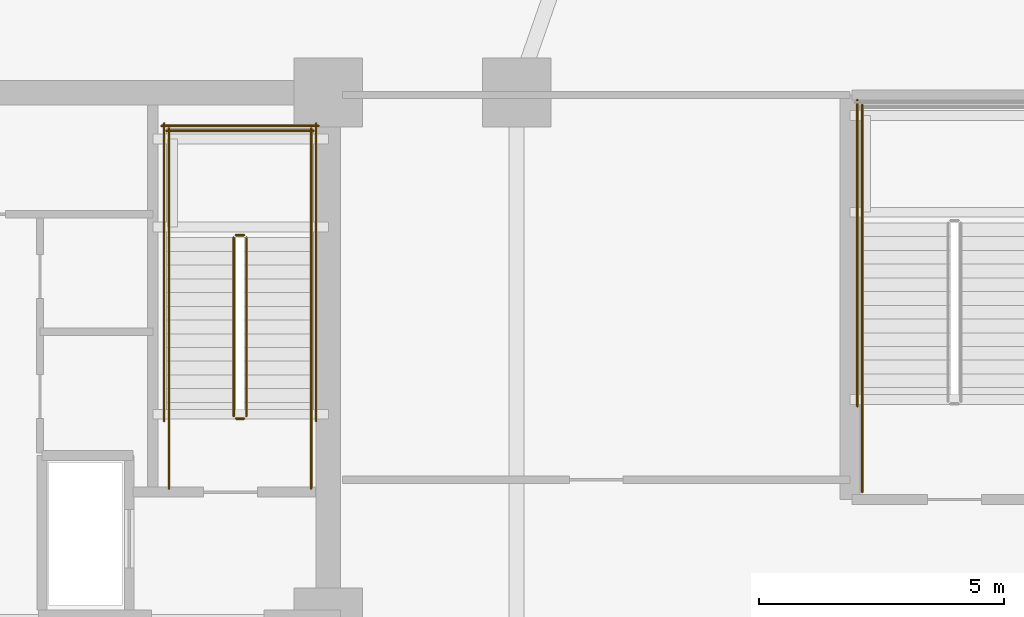
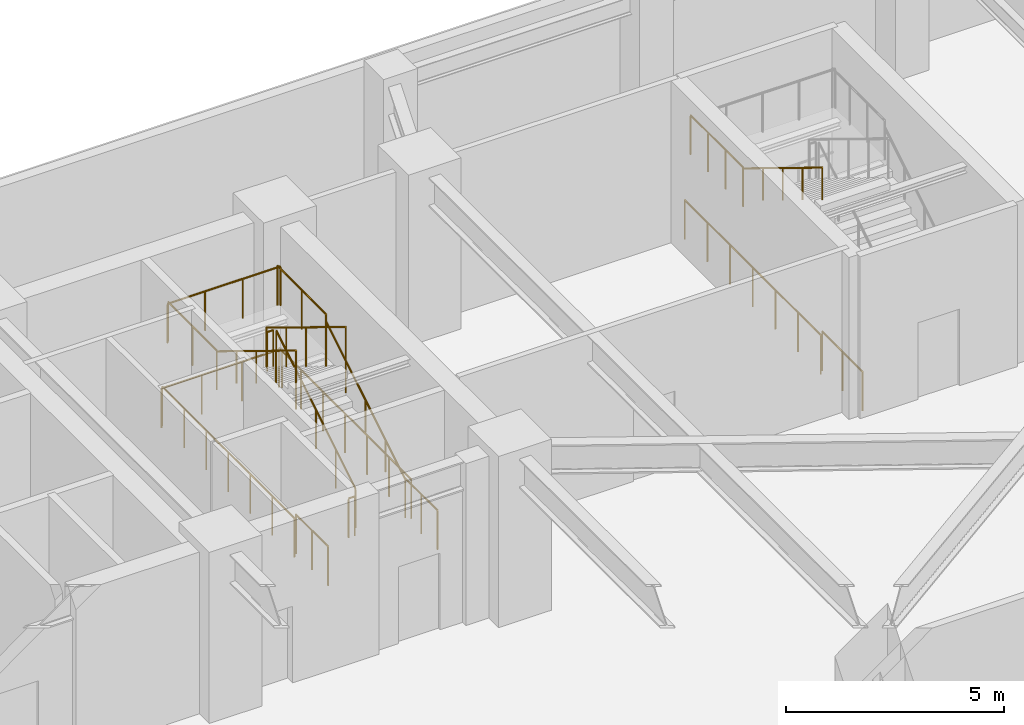
# One storey, part 17 of 19: 18 railings.
"""IFC4 building model written with IfcOpenShell, lengths in metres."""

from ifc_helpers import new_model, si_unit, direction, frame, origin, origin_2d, place, context, subcontext, project, spatial, circle, extrude, material, layer, layer_set, type_object, element, save


model = new_model("IFC4")

# Units and contexts
model_context = context("Model", 3, precision=1e-05, world=origin(), true_north=direction((0.0, 1.0)))
body_context = subcontext(model_context, "Body", "Model", "MODEL_VIEW")
ifc_project = project(units=[si_unit("LENGTHUNIT", "METRE"), si_unit("AREAUNIT", "SQUARE_METRE"), si_unit("VOLUMEUNIT", "CUBIC_METRE"), si_unit("PLANEANGLEUNIT", "RADIAN"), si_unit("MASSUNIT", "GRAM", prefix="KILO")], contexts=[model_context])

# Site, building, storey
site_placement = place(None, origin())
site = spatial("IfcSite", under=ifc_project, at=site_placement, CompositionType="ELEMENT")
building_placement = place(site_placement, origin())
building = spatial("IfcBuilding", under=site, at=building_placement, Name="Yelkora Congress Tower", CompositionType="ELEMENT")
storey_placement = place(building_placement, frame((0.0, 0.0, 15.60009765625)))
storey = spatial("IfcBuildingStorey", under=building, at=storey_placement, Name="L03", CompositionType="ELEMENT", Elevation=15.60009765625)

# Railings
ifc_material_1 = material(Name="Painted galvanised steel stair well guard with vertical infill", Category="steel")
ifc_layer_1 = layer(ifc_material_1, 0.06005859375)
ifc_layer_set_1 = layer_set([ifc_layer_1], Name="Painted galvanised steel stair well guard with vertical infill")
railing_type_1 = type_object("IfcRailingType", Name="RAIL-STAIR-GUARD-1120", PredefinedType="GUARDRAIL", material=ifc_layer_set_1)
railing_1_placement = place(storey_placement, frame((52.090087890625, 39.60009765625, 0.17138671875)))
element("IfcRailing", 1, at=railing_1_placement, inside=storey, type_object=railing_type_1, Name="ST-02 L03 Stair Well Guardrail 1", PredefinedType="GUARDRAIL", context=body_context, shape_type="SweptSolid", body=[
    extrude(circle(Radius=0.02392578125, at=origin_2d()), frame((0.0, 0.0, 1.09619140625), z_axis=(0.0, 0.852850264322, 0.5221555579), x_axis=(-1.0, 0.0, 0.0)), (0.0, 0.0, 1.0), 4.267822265625),
    extrude(circle(Radius=0.02099609375, at=origin_2d()), origin(), (0.0, 0.0, 1.0), 1.072021484375),
    extrude(circle(Radius=0.02099609375, at=origin_2d()), frame((0.0, 0.909912109375, 0.55712890625)), (0.0, 0.0, 1.0), 1.072021484375),
    extrude(circle(Radius=0.02099609375, at=origin_2d()), frame((0.0, 1.81982421875, 1.1142578125)), (0.0, 0.0, 1.0), 1.072021484375),
    extrude(circle(Radius=0.02099609375, at=origin_2d()), frame((0.0, 2.72998046875, 1.67138671875)), (0.0, 0.0, 1.0), 1.072021484375),
    extrude(circle(Radius=0.02099609375, at=origin_2d()), frame((0.0, 3.639892578125, 2.228515625)), (0.0, 0.0, 1.0), 1.072021484375),
])
railing_2_placement = place(storey_placement, frame((52.0400390625, 43.2900390625, 2.39990234375)))
element("IfcRailing", 2, at=railing_2_placement, inside=storey, type_object=railing_type_1, Name="ST-02 L03 Stair Well Guardrail 2", PredefinedType="GUARDRAIL", context=body_context, shape_type="SweptSolid", body=[
    extrude(circle(Radius=0.02392578125, at=origin_2d()), frame((0.0, 0.0, 1.09619140625), z_axis=(-1.0, 0.0, 0.0), x_axis=(0.0, -1.0, 0.0)), (0.0, 0.0, 1.0), 0.16015625),
    extrude(circle(Radius=0.02099609375, at=origin_2d()), origin(), (0.0, 0.0, 1.0), 1.072021484375),
    extrude(circle(Radius=0.02099609375, at=origin_2d()), frame((-0.16015625, 0.0, 0.0)), (0.0, 0.0, 1.0), 1.072021484375),
])
for number, where, name in (
    (3, (53.409912109375, 43.239990234375, 2.39990234375), "ST-02 L03 Stair Well Guardrail 3"),
    (4, (50.510009765625, 43.239990234375, 2.39990234375), "ST-02 L03 Stair Well Guardrail 4"),
):
    element("IfcRailing", number, at=place(storey_placement, frame(where)), inside=storey, type_object=railing_type_1, Name=name, PredefinedType="GUARDRAIL", context=body_context, shape_type="SweptSolid", body=[
        extrude(circle(Radius=0.02392578125, at=origin_2d()), frame((0.0, 0.0, 1.09619140625), z_axis=(0.0, 1.0, 0.0), x_axis=(-1.0, 0.0, 0.0)), (0.0, 0.0, 1.0), 2.22998046875),
        extrude(circle(Radius=0.02099609375, at=origin_2d()), origin(), (0.0, 0.0, 1.0), 1.072021484375),
        extrude(circle(Radius=0.02099609375, at=origin_2d()), frame((0.0, 1.114990234375, 0.0)), (0.0, 0.0, 1.0), 1.072021484375),
        extrude(circle(Radius=0.02099609375, at=origin_2d()), frame((0.0, 2.22998046875, 0.0)), (0.0, 0.0, 1.0), 1.072021484375),
    ])
railing_3_placement = place(storey_placement, frame((53.4599609375, 45.419921875, 2.39990234375)))
element("IfcRailing", 5, at=railing_3_placement, inside=storey, type_object=railing_type_1, Name="ST-02 L03 Stair Well Guardrail 5", PredefinedType="GUARDRAIL", context=body_context, shape_type="SweptSolid", body=[
    extrude(circle(Radius=0.02392578125, at=origin_2d()), frame((0.0, 0.0, 1.09619140625), z_axis=(-1.0, 0.0, 0.0), x_axis=(0.0, -1.0, 0.0)), (0.0, 0.0, 1.0), 3.0),
    extrude(circle(Radius=0.02099609375, at=origin_2d()), origin(), (0.0, 0.0, 1.0), 1.072021484375),
    extrude(circle(Radius=0.02099609375, at=origin_2d()), frame((-1.0, 0.0, 0.0)), (0.0, 0.0, 1.0), 1.072021484375),
    extrude(circle(Radius=0.02099609375, at=origin_2d()), frame((-2.0, 0.0, 0.0)), (0.0, 0.0, 1.0), 1.072021484375),
    extrude(circle(Radius=0.02099609375, at=origin_2d()), frame((-3.0, 0.0, 0.0)), (0.0, 0.0, 1.0), 1.072021484375),
])
railing_4_placement = place(storey_placement, frame((51.830078125, 43.239990234375, 2.5712890625)))
element("IfcRailing", 6, at=railing_4_placement, inside=storey, type_object=railing_type_1, Name="ST-02 L03 Stair Well Guardrail 6", PredefinedType="GUARDRAIL", context=body_context, shape_type="SweptSolid", body=[
    extrude(circle(Radius=0.02392578125, at=origin_2d()), frame((0.0, 0.0, 1.09619140625), z_axis=(0.0, -0.852850264322, 0.5221555579), x_axis=(1.0, 0.0, 0.0)), (0.0, 0.0, 1.0), 4.267822265625),
    extrude(circle(Radius=0.02099609375, at=origin_2d()), origin(), (0.0, 0.0, 1.0), 1.072021484375),
    extrude(circle(Radius=0.02099609375, at=origin_2d()), frame((0.0, -0.909912109375, 0.55712890625)), (0.0, 0.0, 1.0), 1.072021484375),
    extrude(circle(Radius=0.02099609375, at=origin_2d()), frame((0.0, -1.81982421875, 1.1142578125)), (0.0, 0.0, 1.0), 1.072021484375),
    extrude(circle(Radius=0.02099609375, at=origin_2d()), frame((0.0, -2.72998046875, 1.67138671875)), (0.0, 0.0, 1.0), 1.072021484375),
    extrude(circle(Radius=0.02099609375, at=origin_2d()), frame((0.0, -3.639892578125, 2.228515625)), (0.0, 0.0, 1.0), 1.072021484375),
])
railing_5_placement = place(storey_placement, frame((52.0400390625, 39.550048828125, 0.0)))
element("IfcRailing", 7, at=railing_5_placement, inside=storey, type_object=railing_type_1, Name="ST-02 L03 Stair Well Guardrail 7", PredefinedType="GUARDRAIL", context=body_context, shape_type="SweptSolid", body=[
    extrude(circle(Radius=0.02392578125, at=origin_2d()), frame((0.0, 0.0, 1.09619140625), z_axis=(-1.0, 0.0, 0.0), x_axis=(0.0, -1.0, 0.0)), (0.0, 0.0, 1.0), 0.16015625),
    extrude(circle(Radius=0.02099609375, at=origin_2d()), origin(), (0.0, 0.0, 1.0), 1.072021484375),
    extrude(circle(Radius=0.02099609375, at=origin_2d()), frame((-0.16015625, 0.0, 0.0)), (0.0, 0.0, 1.0), 1.072021484375),
])
for number, where, name in (
    (8, (53.409912109375, 38.1201171875, 0.0), "ST-02 L03 Stair Well Guardrail 8"),
    (9, (50.510009765625, 38.1201171875, 0.0), "ST-02 L03 Stair Well Guardrail 9"),
):
    element("IfcRailing", number, at=place(storey_placement, frame(where)), inside=storey, type_object=railing_type_1, Name=name, PredefinedType="GUARDRAIL", context=body_context, shape_type="SweptSolid", body=[
        extrude(circle(Radius=0.02392578125, at=origin_2d()), frame((0.0, 0.0, 1.09619140625), z_axis=(0.0, 1.0, 0.0), x_axis=(-1.0, 0.0, 0.0)), (0.0, 0.0, 1.0), 1.47998046875),
        extrude(circle(Radius=0.02099609375, at=origin_2d()), origin(), (0.0, 0.0, 1.0), 1.072021484375),
        extrude(circle(Radius=0.02099609375, at=origin_2d()), frame((0.0, 0.739990234375, 0.0)), (0.0, 0.0, 1.0), 1.072021484375),
        extrude(circle(Radius=0.02099609375, at=origin_2d()), frame((0.0, 1.47998046875, 0.0)), (0.0, 0.0, 1.0), 1.072021484375),
    ])
for number, where, name in (
    (10, (53.510009765625, 39.5, 0.0), "ST-02 L03 Stair Well Guardrail 10"),
    (11, (50.409912109375, 39.5, 0.0), "ST-02 L03 Stair Well Guardrail 11"),
):
    element("IfcRailing", number, at=place(storey_placement, frame(where)), inside=storey, type_object=railing_type_1, Name=name, PredefinedType="GUARDRAIL", context=body_context, shape_type="SweptSolid", body=[
        extrude(circle(Radius=0.02392578125, at=origin_2d()), frame((0.0, 0.0, 1.09619140625), z_axis=(0.0, 1.0, 0.0), x_axis=(-1.0, 0.0, 0.0)), (0.0, 0.0, 1.0), 6.070068359375),
        extrude(circle(Radius=0.02099609375, at=origin_2d()), origin(), (0.0, 0.0, 1.0), 1.072021484375),
        extrude(circle(Radius=0.02099609375, at=origin_2d()), frame((0.0, 1.01171875, 0.0)), (0.0, 0.0, 1.0), 1.072021484375),
        extrude(circle(Radius=0.02099609375, at=origin_2d()), frame((0.0, 2.0234375, 0.0)), (0.0, 0.0, 1.0), 1.072021484375),
        extrude(circle(Radius=0.02099609375, at=origin_2d()), frame((0.0, 3.03515625, 0.0)), (0.0, 0.0, 1.0), 1.072021484375),
        extrude(circle(Radius=0.02099609375, at=origin_2d()), frame((0.0, 4.046630859375, 0.0)), (0.0, 0.0, 1.0), 1.072021484375),
        extrude(circle(Radius=0.02099609375, at=origin_2d()), frame((0.0, 5.058349609375, 0.0)), (0.0, 0.0, 1.0), 1.072021484375),
        extrude(circle(Radius=0.02099609375, at=origin_2d()), frame((0.0, 6.070068359375, 0.0)), (0.0, 0.0, 1.0), 1.072021484375),
    ])
railing_6_placement = place(storey_placement, frame((53.56005859375, 45.52001953125, 0.0)))
element("IfcRailing", 12, at=railing_6_placement, inside=storey, type_object=railing_type_1, Name="ST-02 L03 Stair Well Guardrail 12", PredefinedType="GUARDRAIL", context=body_context, shape_type="SweptSolid", body=[
    extrude(circle(Radius=0.02392578125, at=origin_2d()), frame((0.0, 0.0, 1.09619140625), z_axis=(-1.0, 0.0, 0.0), x_axis=(0.0, -1.0, 0.0)), (0.0, 0.0, 1.0), 3.199951171875),
    extrude(circle(Radius=0.02099609375, at=origin_2d()), origin(), (0.0, 0.0, 1.0), 1.072021484375),
    extrude(circle(Radius=0.02099609375, at=origin_2d()), frame((-1.066650390625, 0.0, 0.0)), (0.0, 0.0, 1.0), 1.072021484375),
    extrude(circle(Radius=0.02099609375, at=origin_2d()), frame((-2.13330078125, 0.0, 0.0)), (0.0, 0.0, 1.0), 1.072021484375),
    extrude(circle(Radius=0.02099609375, at=origin_2d()), frame((-3.199951171875, 0.0, 0.0)), (0.0, 0.0, 1.0), 1.072021484375),
])
railing_7_placement = place(storey_placement, frame((64.64990234375, 43.5400390625, 2.39990234375)))
element("IfcRailing", 13, at=railing_7_placement, inside=storey, type_object=railing_type_1, Name="ST-P2 L03 Stair Well Guardrail 4", PredefinedType="GUARDRAIL", context=body_context, shape_type="SweptSolid", body=[
    extrude(circle(Radius=0.02392578125, at=origin_2d()), frame((0.0, 0.0, 1.09619140625), z_axis=(0.0, 1.0, 0.0), x_axis=(-1.0, 0.0, 0.0)), (0.0, 0.0, 1.0), 2.409912109375),
    extrude(circle(Radius=0.02099609375, at=origin_2d()), origin(), (0.0, 0.0, 1.0), 1.072021484375),
    extrude(circle(Radius=0.02099609375, at=origin_2d()), frame((0.0, 0.80322265625, 0.0)), (0.0, 0.0, 1.0), 1.072021484375),
    extrude(circle(Radius=0.02099609375, at=origin_2d()), frame((0.0, 1.606689453125, 0.0)), (0.0, 0.0, 1.0), 1.072021484375),
    extrude(circle(Radius=0.02099609375, at=origin_2d()), frame((0.0, 2.409912109375, 0.0)), (0.0, 0.0, 1.0), 1.072021484375),
])
railing_8_placement = place(storey_placement, frame((64.64990234375, 38.050048828125, 0.0)))
element("IfcRailing", 14, at=railing_8_placement, inside=storey, type_object=railing_type_1, Name="ST-P2 L03 Stair Well Guardrail 9", PredefinedType="GUARDRAIL", context=body_context, shape_type="SweptSolid", body=[
    extrude(circle(Radius=0.02392578125, at=origin_2d()), frame((0.0, 0.0, 1.09619140625), z_axis=(0.0, 1.0, 0.0), x_axis=(-1.0, 0.0, 0.0)), (0.0, 0.0, 1.0), 1.849853515625),
    extrude(circle(Radius=0.02099609375, at=origin_2d()), origin(), (0.0, 0.0, 1.0), 1.072021484375),
    extrude(circle(Radius=0.02099609375, at=origin_2d()), frame((0.0, 0.9248046875, 0.0)), (0.0, 0.0, 1.0), 1.072021484375),
    extrude(circle(Radius=0.02099609375, at=origin_2d()), frame((0.0, 1.849853515625, 0.0)), (0.0, 0.0, 1.0), 1.072021484375),
])
railing_9_placement = place(storey_placement, frame((64.550048828125, 39.800048828125, 0.0)))
element("IfcRailing", 15, at=railing_9_placement, inside=storey, type_object=railing_type_1, Name="ST-P2 L03 Stair Well Guardrail 11", PredefinedType="GUARDRAIL", context=body_context, shape_type="SweptSolid", body=[
    extrude(circle(Radius=0.02392578125, at=origin_2d()), frame((0.0, 0.0, 1.09619140625), z_axis=(0.0, 1.0, 0.0), x_axis=(-1.0, 0.0, 0.0)), (0.0, 0.0, 1.0), 6.25),
    extrude(circle(Radius=0.02099609375, at=origin_2d()), origin(), (0.0, 0.0, 1.0), 1.072021484375),
    extrude(circle(Radius=0.02099609375, at=origin_2d()), frame((0.0, 1.041748046875, 0.0)), (0.0, 0.0, 1.0), 1.072021484375),
    extrude(circle(Radius=0.02099609375, at=origin_2d()), frame((0.0, 2.083251953125, 0.0)), (0.0, 0.0, 1.0), 1.072021484375),
    extrude(circle(Radius=0.02099609375, at=origin_2d()), frame((0.0, 3.125, 0.0)), (0.0, 0.0, 1.0), 1.072021484375),
    extrude(circle(Radius=0.02099609375, at=origin_2d()), frame((0.0, 4.166748046875, 0.0)), (0.0, 0.0, 1.0), 1.072021484375),
    extrude(circle(Radius=0.02099609375, at=origin_2d()), frame((0.0, 5.208251953125, 0.0)), (0.0, 0.0, 1.0), 1.072021484375),
    extrude(circle(Radius=0.02099609375, at=origin_2d()), frame((0.0, 6.25, 0.0)), (0.0, 0.0, 1.0), 1.072021484375),
])
ifc_material_2 = material(Name="Brushed stainless steel tubular handrail", Category="steel")
ifc_layer_2 = layer(ifc_material_2, 0.050048828125)
ifc_layer_set_2 = layer_set([ifc_layer_2], Name="Brushed stainless steel tubular handrail")
railing_type_2 = type_object("IfcRailingType", Name="RAIL-STAIR-HAND-920", PredefinedType="HANDRAIL", material=ifc_layer_set_2)
railing_10_placement = place(storey_placement, frame((53.409912109375, 39.60009765625, 0.17138671875)))
element("IfcRailing", 16, at=railing_10_placement, inside=storey, type_object=railing_type_2, Name="ST-02 L03 Pitch Handrail 1", PredefinedType="HANDRAIL", context=body_context, shape_type="SweptSolid", body=[
    extrude(circle(Radius=0.02392578125, at=origin_2d()), frame((0.0, 0.0, 0.89599609375), z_axis=(0.0, 0.852850264322, 0.5221555579), x_axis=(-1.0, 0.0, 0.0)), (0.0, 0.0, 1.0), 4.267822265625),
    extrude(circle(Radius=0.02099609375, at=origin_2d()), origin(), (0.0, 0.0, 1.0), 0.871826171875),
    extrude(circle(Radius=0.02099609375, at=origin_2d()), frame((0.0, 0.909912109375, 0.55712890625)), (0.0, 0.0, 1.0), 0.871826171875),
    extrude(circle(Radius=0.02099609375, at=origin_2d()), frame((0.0, 1.81982421875, 1.1142578125)), (0.0, 0.0, 1.0), 0.871826171875),
    extrude(circle(Radius=0.02099609375, at=origin_2d()), frame((0.0, 2.72998046875, 1.67138671875)), (0.0, 0.0, 1.0), 0.871826171875),
    extrude(circle(Radius=0.02099609375, at=origin_2d()), frame((0.0, 3.639892578125, 2.228515625)), (0.0, 0.0, 1.0), 0.871826171875),
])
railing_11_placement = place(storey_placement, frame((50.510009765625, 43.239990234375, 2.5712890625)))
element("IfcRailing", 17, at=railing_11_placement, inside=storey, type_object=railing_type_2, Name="ST-02 L03 Pitch Handrail 2", PredefinedType="HANDRAIL", context=body_context, shape_type="SweptSolid", body=[
    extrude(circle(Radius=0.02392578125, at=origin_2d()), frame((0.0, 0.0, 0.89599609375), z_axis=(0.0, -0.852850264322, 0.5221555579), x_axis=(1.0, 0.0, 0.0)), (0.0, 0.0, 1.0), 4.267822265625),
    extrude(circle(Radius=0.02099609375, at=origin_2d()), origin(), (0.0, 0.0, 1.0), 0.871826171875),
    extrude(circle(Radius=0.02099609375, at=origin_2d()), frame((0.0, -0.909912109375, 0.55712890625)), (0.0, 0.0, 1.0), 0.871826171875),
    extrude(circle(Radius=0.02099609375, at=origin_2d()), frame((0.0, -1.81982421875, 1.1142578125)), (0.0, 0.0, 1.0), 0.871826171875),
    extrude(circle(Radius=0.02099609375, at=origin_2d()), frame((0.0, -2.72998046875, 1.67138671875)), (0.0, 0.0, 1.0), 0.871826171875),
    extrude(circle(Radius=0.02099609375, at=origin_2d()), frame((0.0, -3.639892578125, 2.228515625)), (0.0, 0.0, 1.0), 0.871826171875),
])
railing_12_placement = place(storey_placement, frame((64.64990234375, 43.5400390625, 2.5712890625)))
element("IfcRailing", 18, at=railing_12_placement, inside=storey, type_object=railing_type_2, Name="ST-P2 L03 Pitch Handrail 2", PredefinedType="HANDRAIL", context=body_context, shape_type="SweptSolid", body=[
    extrude(circle(Radius=0.02392578125, at=origin_2d()), frame((0.0, 0.0, 0.89599609375), z_axis=(0.0, -0.852865859571, 0.52213008492), x_axis=(1.0, 0.0, 0.0)), (0.0, 0.0, 1.0), 4.26806640625),
    extrude(circle(Radius=0.02099609375, at=origin_2d()), origin(), (0.0, 0.0, 1.0), 0.871826171875),
    extrude(circle(Radius=0.02099609375, at=origin_2d()), frame((0.0, -0.91015625, 0.55712890625)), (0.0, 0.0, 1.0), 0.871826171875),
    extrude(circle(Radius=0.02099609375, at=origin_2d()), frame((0.0, -1.820068359375, 1.1142578125)), (0.0, 0.0, 1.0), 0.871826171875),
    extrude(circle(Radius=0.02099609375, at=origin_2d()), frame((0.0, -2.72998046875, 1.67138671875)), (0.0, 0.0, 1.0), 0.871826171875),
    extrude(circle(Radius=0.02099609375, at=origin_2d()), frame((0.0, -3.64013671875, 2.228515625)), (0.0, 0.0, 1.0), 0.871826171875),
])

save(model, "model.ifc")
